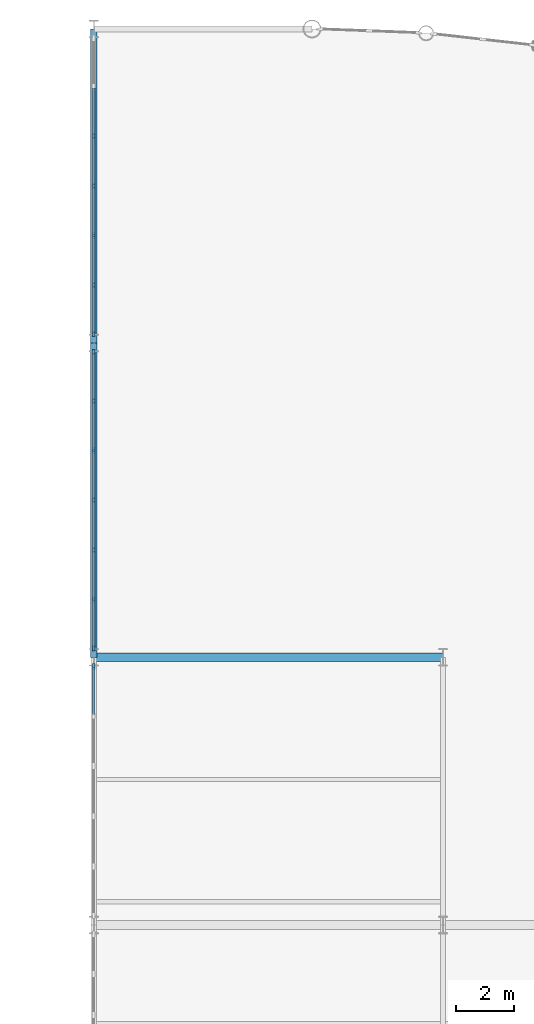
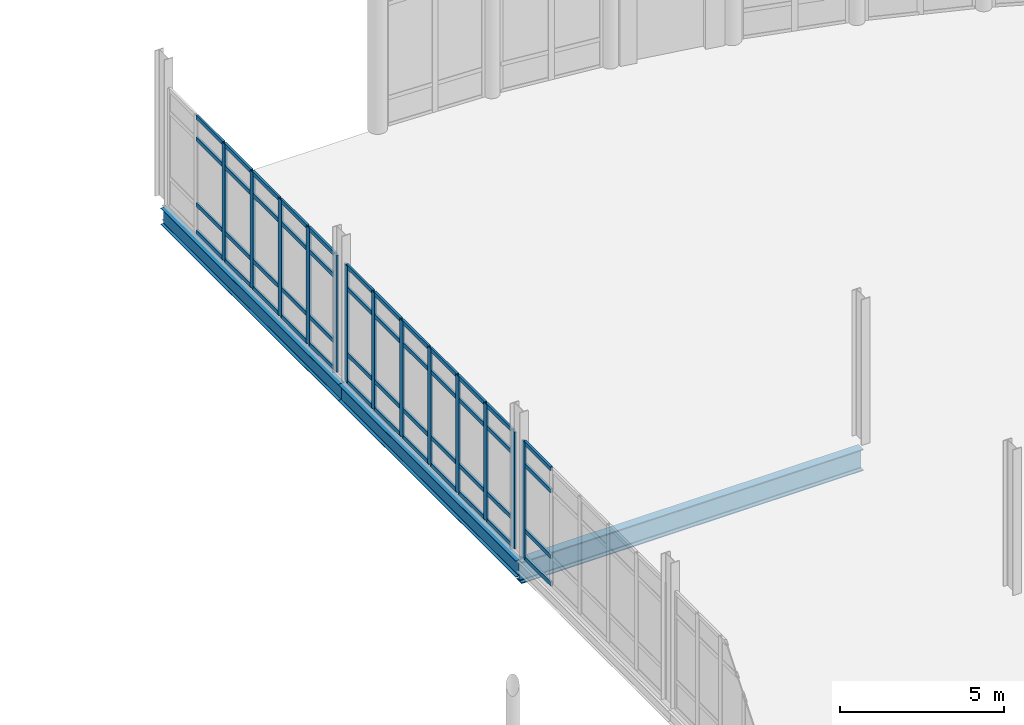
# One storey, part 61 of 111: 61 members, 3 beams, 3 elements without a shape of their own.
"""IFC4 building model written with IfcOpenShell, lengths in metres."""

from ifc_helpers import new_model, si_unit, direction, frame, origin, origin_2d, place, context, subcontext, project, spatial, rectangle, i_section, extrude, material, layer, layer_set, material_profile, profile_set, type_object, element, aggregate, save


model = new_model("IFC4")

# Units and contexts
model_context = context("Model", 3, precision=1e-05, world=origin(), true_north=direction((0.0, 1.0)))
body_context = subcontext(model_context, "Body", "Model", "MODEL_VIEW")
ifc_project = project(units=[si_unit("LENGTHUNIT", "METRE"), si_unit("AREAUNIT", "SQUARE_METRE"), si_unit("VOLUMEUNIT", "CUBIC_METRE"), si_unit("PLANEANGLEUNIT", "RADIAN"), si_unit("MASSUNIT", "GRAM", prefix="KILO"), si_unit("THERMODYNAMICTEMPERATUREUNIT", "KELVIN"), si_unit("POWERUNIT", "WATT")], contexts=[model_context])

# Site, building, storey
site_placement = place(None, origin())
site = spatial("IfcSite", under=ifc_project, at=site_placement, CompositionType="ELEMENT")
building_placement = place(site_placement, origin())
building = spatial("IfcBuilding", under=site, at=building_placement, Name="Tembeka Court Mobility Hub", CompositionType="ELEMENT")
storey_placement = place(building_placement, origin())
storey = spatial("IfcBuildingStorey", under=building, at=storey_placement, Name="L00", CompositionType="ELEMENT", Elevation=0.0)

# Beams
ifc_material_1 = material(Name="Steel S355", Category="steel")
ifc_material_profile_1 = material_profile(ifc_material_1, i_section(OverallWidth=0.22900390625, OverallDepth=0.612060546875, WebThickness=0.011962890625, FlangeThickness=0.01953125, FilletRadius=0.0126953125, at=origin_2d()), Name="UKB 610x229x125")
ifc_profile_set_1 = profile_set([ifc_material_profile_1], Name="Steel S355")
beam_type_1 = type_object("IfcBeamType", Name="BM-G02", PredefinedType="USERDEFINED", material=ifc_profile_set_1)
for number, where, z_axis, x_axis, name in (
    (1, (116.39990234375, 97.199951171875, -0.5859375), (0.0, 1.0, 0.0), (-1.0, 0.0, 0.0), "Beam G02 (BM-L00-Y0282)"),
    (2, (116.39990234375, 108.0, -0.5859375), (0.0, 1.0, 0.0), (-1.0, 0.0, 0.0), "Beam G02 (BM-L00-Y0283)"),
):
    element("IfcBeam", number, at=place(storey_placement, frame(where, z_axis=z_axis, x_axis=x_axis)), inside=storey, type_object=beam_type_1, Name=name, ObjectType="GIRDER", PredefinedType="USERDEFINED", context=body_context, shape_type="SweptSolid", body=[
        extrude(i_section(OverallWidth=0.22900390625, OverallDepth=0.612060546875, WebThickness=0.011962890625, FlangeThickness=0.01953125, FilletRadius=0.0126953125, at=origin_2d()), origin(), (0.0, 0.0, 1.0), 10.800048828125),
    ])
ifc_material_profile_2 = material_profile(ifc_material_1, i_section(OverallWidth=0.300048828125, OverallDepth=0.800048828125, WebThickness=0.017578125, FlangeThickness=0.034912109375, FilletRadius=0.030029296875, at=origin_2d()), Name="HEB 800")
ifc_profile_set_2 = profile_set([ifc_material_profile_2], Name="Steel S355")
beam_type_2 = type_object("IfcBeamType", Name="BM-G04", PredefinedType="USERDEFINED", material=ifc_profile_set_2)
beam_placement = place(storey_placement, frame((116.39990234375, 97.199951171875, -0.679931640625), z_axis=(1.0, 0.0, 0.0), x_axis=(0.0, 1.0, 0.0)))
element("IfcBeam", 3, at=beam_placement, inside=storey, type_object=beam_type_2, Name="Beam G04 (BM-L00-X0148)", ObjectType="GIRDER", PredefinedType="USERDEFINED", context=body_context, shape_type="SweptSolid", body=[
    extrude(i_section(OverallWidth=0.300048828125, OverallDepth=0.800048828125, WebThickness=0.017578125, FlangeThickness=0.034912109375, FilletRadius=0.030029296875, at=origin_2d()), origin(), (0.0, 0.0, 1.0), 12.0),
])

# Curtain wall, member
ifc_material_2 = material(Name="Anodised aluminium 6063-T6", Category="aluminium")
ifc_layer_1 = layer(ifc_material_2, 0.199951171875)
ifc_layer_set_1 = layer_set([ifc_layer_1], Name="Anodised aluminium 6063-T6")
curtain_wall_type_1 = type_object("IfcCurtainWallType", Name="CW-SYS28", PredefinedType="USERDEFINED", material=ifc_layer_set_1)
curtain_wall_1_placement = place(storey_placement, origin())
curtain_wall_1 = element("IfcCurtainWall", 4, at=curtain_wall_1_placement, inside=storey, type_object=curtain_wall_type_1, Name="Unitised curtain wall CW28 (CW-L00-087)", ObjectType="UNITISED GLAZING", PredefinedType="USERDEFINED")
ifc_material_profile_3 = material_profile(ifc_material_2, rectangle(XDim=0.074951171875, YDim=0.199951171875, at=origin_2d()), Name="ALU-MUL 75x200")
ifc_profile_set_3 = profile_set([ifc_material_profile_3], Name="Anodised aluminium 6063-T6")
member_type_1 = type_object("IfcMemberType", Name="CW-MUL02", PredefinedType="MULLION", material=ifc_profile_set_3)
member_1_placement = place(storey_placement, frame((116.39990234375, 96.882568359375, 0.0), z_axis=(0.0, 0.0, 1.0), x_axis=(-1.0, 0.0, 0.0)))
member_1 = element("IfcMember", 5, at=member_1_placement, type_object=member_type_1, Name="CW28 mullion 6", PredefinedType="MULLION", context=body_context, shape_type="SweptSolid", body=[
    extrude(rectangle(XDim=0.074951171875, YDim=0.199951171875, at=origin_2d()), origin(), (0.0, 0.0, 1.0), 4.3349609375),
])

# Curtain wall, members
ifc_layer_2 = layer(ifc_material_2, 0.159912109375)
ifc_layer_set_2 = layer_set([ifc_layer_2], Name="Anodised aluminium 6063-T6")
curtain_wall_type_2 = type_object("IfcCurtainWallType", Name="CW-SYS18", PredefinedType="USERDEFINED", material=ifc_layer_set_2)
curtain_wall_2_placement = place(storey_placement, origin())
curtain_wall_2 = element("IfcCurtainWall", 6, at=curtain_wall_2_placement, inside=storey, type_object=curtain_wall_type_2, Name="Unitised curtain wall CW18 (CW-L00-089)", ObjectType="UNITISED GLAZING", PredefinedType="USERDEFINED")
member_2_placement = place(storey_placement, frame((116.39990234375, 97.517578125, 0.0), z_axis=(0.0, 0.0, 1.0), x_axis=(-1.0, 0.0, 0.0)))
member_2 = element("IfcMember", 7, at=member_2_placement, type_object=member_type_1, Name="CW18 mullion 1", PredefinedType="MULLION", context=body_context, shape_type="SweptSolid", body=[
    extrude(rectangle(XDim=0.074951171875, YDim=0.199951171875, at=origin_2d()), origin(), (0.0, 0.0, 1.0), 4.3349609375),
])
member_3_placement = place(storey_placement, frame((116.39990234375, 99.186767578125, 0.0), z_axis=(0.0, 0.0, 1.0), x_axis=(-1.0, 0.0, 0.0)))
member_3 = element("IfcMember", 8, at=member_3_placement, type_object=member_type_1, Name="CW18 mullion 2", PredefinedType="MULLION", context=body_context, shape_type="SweptSolid", body=[
    extrude(rectangle(XDim=0.074951171875, YDim=0.199951171875, at=origin_2d()), origin(), (0.0, 0.0, 1.0), 4.3349609375),
])
member_4_placement = place(storey_placement, frame((116.39990234375, 100.893310546875, 0.0), z_axis=(0.0, 0.0, 1.0), x_axis=(-1.0, 0.0, 0.0)))
member_4 = element("IfcMember", 9, at=member_4_placement, type_object=member_type_1, Name="CW18 mullion 3", PredefinedType="MULLION", context=body_context, shape_type="SweptSolid", body=[
    extrude(rectangle(XDim=0.074951171875, YDim=0.199951171875, at=origin_2d()), origin(), (0.0, 0.0, 1.0), 4.3349609375),
])
member_5_placement = place(storey_placement, frame((116.39990234375, 102.60009765625, 0.0), z_axis=(0.0, 0.0, 1.0), x_axis=(-1.0, 0.0, 0.0)))
member_5 = element("IfcMember", 10, at=member_5_placement, type_object=member_type_1, Name="CW18 mullion 4", PredefinedType="MULLION", context=body_context, shape_type="SweptSolid", body=[
    extrude(rectangle(XDim=0.074951171875, YDim=0.199951171875, at=origin_2d()), origin(), (0.0, 0.0, 1.0), 4.3349609375),
])
member_6_placement = place(storey_placement, frame((116.39990234375, 104.306640625, 0.0), z_axis=(0.0, 0.0, 1.0), x_axis=(-1.0, 0.0, 0.0)))
member_6 = element("IfcMember", 11, at=member_6_placement, type_object=member_type_1, Name="CW18 mullion 5", PredefinedType="MULLION", context=body_context, shape_type="SweptSolid", body=[
    extrude(rectangle(XDim=0.074951171875, YDim=0.199951171875, at=origin_2d()), origin(), (0.0, 0.0, 1.0), 4.3349609375),
])
member_7_placement = place(storey_placement, frame((116.39990234375, 106.013427734375, 0.0), z_axis=(0.0, 0.0, 1.0), x_axis=(-1.0, 0.0, 0.0)))
member_7 = element("IfcMember", 12, at=member_7_placement, type_object=member_type_1, Name="CW18 mullion 6", PredefinedType="MULLION", context=body_context, shape_type="SweptSolid", body=[
    extrude(rectangle(XDim=0.074951171875, YDim=0.199951171875, at=origin_2d()), origin(), (0.0, 0.0, 1.0), 4.3349609375),
])
member_8_placement = place(storey_placement, frame((116.39990234375, 107.6826171875, 0.0), z_axis=(0.0, 0.0, 1.0), x_axis=(-1.0, 0.0, 0.0)))
member_8 = element("IfcMember", 13, at=member_8_placement, type_object=member_type_1, Name="CW18 mullion 7", PredefinedType="MULLION", context=body_context, shape_type="SweptSolid", body=[
    extrude(rectangle(XDim=0.074951171875, YDim=0.199951171875, at=origin_2d()), origin(), (0.0, 0.0, 1.0), 4.3349609375),
])

curtain_wall_3_placement = place(storey_placement, origin())
curtain_wall_3 = element("IfcCurtainWall", 14, at=curtain_wall_3_placement, inside=storey, type_object=curtain_wall_type_2, Name="Unitised curtain wall CW18 (CW-L00-091)", ObjectType="UNITISED GLAZING", PredefinedType="USERDEFINED")
member_9_placement = place(storey_placement, frame((116.39990234375, 108.3173828125, 0.0), z_axis=(0.0, 0.0, 1.0), x_axis=(-1.0, 0.0, 0.0)))
member_9 = element("IfcMember", 15, at=member_9_placement, type_object=member_type_1, Name="CW18 mullion 1", PredefinedType="MULLION", context=body_context, shape_type="SweptSolid", body=[
    extrude(rectangle(XDim=0.074951171875, YDim=0.199951171875, at=origin_2d()), origin(), (0.0, 0.0, 1.0), 4.3349609375),
])
member_10_placement = place(storey_placement, frame((116.39990234375, 109.986572265625, 0.0), z_axis=(0.0, 0.0, 1.0), x_axis=(-1.0, 0.0, 0.0)))
member_10 = element("IfcMember", 16, at=member_10_placement, type_object=member_type_1, Name="CW18 mullion 2", PredefinedType="MULLION", context=body_context, shape_type="SweptSolid", body=[
    extrude(rectangle(XDim=0.074951171875, YDim=0.199951171875, at=origin_2d()), origin(), (0.0, 0.0, 1.0), 4.3349609375),
])
member_11_placement = place(storey_placement, frame((116.39990234375, 111.693359375, 0.0), z_axis=(0.0, 0.0, 1.0), x_axis=(-1.0, 0.0, 0.0)))
member_11 = element("IfcMember", 17, at=member_11_placement, type_object=member_type_1, Name="CW18 mullion 3", PredefinedType="MULLION", context=body_context, shape_type="SweptSolid", body=[
    extrude(rectangle(XDim=0.074951171875, YDim=0.199951171875, at=origin_2d()), origin(), (0.0, 0.0, 1.0), 4.3349609375),
])
member_12_placement = place(storey_placement, frame((116.39990234375, 113.39990234375, 0.0), z_axis=(0.0, 0.0, 1.0), x_axis=(-1.0, 0.0, 0.0)))
member_12 = element("IfcMember", 18, at=member_12_placement, type_object=member_type_1, Name="CW18 mullion 4", PredefinedType="MULLION", context=body_context, shape_type="SweptSolid", body=[
    extrude(rectangle(XDim=0.074951171875, YDim=0.199951171875, at=origin_2d()), origin(), (0.0, 0.0, 1.0), 4.3349609375),
])
member_13_placement = place(storey_placement, frame((116.39990234375, 115.106689453125, 0.0), z_axis=(0.0, 0.0, 1.0), x_axis=(-1.0, 0.0, 0.0)))
member_13 = element("IfcMember", 19, at=member_13_placement, type_object=member_type_1, Name="CW18 mullion 5", PredefinedType="MULLION", context=body_context, shape_type="SweptSolid", body=[
    extrude(rectangle(XDim=0.074951171875, YDim=0.199951171875, at=origin_2d()), origin(), (0.0, 0.0, 1.0), 4.3349609375),
])

# Member
ifc_material_profile_4 = material_profile(ifc_material_2, rectangle(XDim=0.074951171875, YDim=0.14990234375, at=origin_2d()), Name="ALU-TRN 75x150")
ifc_profile_set_4 = profile_set([ifc_material_profile_4], Name="Anodised aluminium 6063-T6")
member_type_2 = type_object("IfcMemberType", Name="CW-TRN02", PredefinedType="USERDEFINED", material=ifc_profile_set_4)
member_14_placement = place(storey_placement, frame((116.39990234375, 95.2294921875, 0.03759765625), z_axis=(0.0, 1.0, 0.0), x_axis=(-1.0, 0.0, 0.0)))
member_14 = element("IfcMember", 20, at=member_14_placement, type_object=member_type_2, Name="CW28 transom 5.1", ObjectType="TRANSOM", PredefinedType="USERDEFINED", context=body_context, shape_type="SweptSolid", body=[
    extrude(rectangle(XDim=0.074951171875, YDim=0.14990234375, at=origin_2d()), origin(), (0.0, 0.0, 1.0), 1.615478515625),
])

member_15_placement = place(storey_placement, frame((116.39990234375, 95.2294921875, 1.050048828125), z_axis=(0.0, 1.0, 0.0), x_axis=(-1.0, 0.0, 0.0)))
member_15 = element("IfcMember", 21, at=member_15_placement, type_object=member_type_2, Name="CW28 transom 5.2", ObjectType="TRANSOM", PredefinedType="USERDEFINED", context=body_context, shape_type="SweptSolid", body=[
    extrude(rectangle(XDim=0.074951171875, YDim=0.14990234375, at=origin_2d()), origin(), (0.0, 0.0, 1.0), 1.615478515625),
])

member_16_placement = place(storey_placement, frame((116.39990234375, 95.2294921875, 3.485107421875), z_axis=(0.0, 1.0, 0.0), x_axis=(-1.0, 0.0, 0.0)))
member_16 = element("IfcMember", 22, at=member_16_placement, type_object=member_type_2, Name="CW28 transom 5.3", ObjectType="TRANSOM", PredefinedType="USERDEFINED", context=body_context, shape_type="SweptSolid", body=[
    extrude(rectangle(XDim=0.074951171875, YDim=0.14990234375, at=origin_2d()), origin(), (0.0, 0.0, 1.0), 1.615478515625),
])

member_17_placement = place(storey_placement, frame((116.39990234375, 95.2294921875, 4.297607421875), z_axis=(0.0, 1.0, 0.0), x_axis=(-1.0, 0.0, 0.0)))
member_17 = element("IfcMember", 23, at=member_17_placement, type_object=member_type_2, Name="CW28 transom 5.4", ObjectType="TRANSOM", PredefinedType="USERDEFINED", context=body_context, shape_type="SweptSolid", body=[
    extrude(rectangle(XDim=0.074951171875, YDim=0.14990234375, at=origin_2d()), origin(), (0.0, 0.0, 1.0), 1.615478515625),
])

aggregate(curtain_wall_1, [member_1, member_14, member_15, member_16, member_17])

member_18_placement = place(storey_placement, frame((116.39990234375, 97.554931640625, 0.03759765625), z_axis=(0.0, 1.0, 0.0), x_axis=(-1.0, 0.0, 0.0)))
member_18 = element("IfcMember", 24, at=member_18_placement, type_object=member_type_2, Name="CW18 transom 1.1", ObjectType="TRANSOM", PredefinedType="USERDEFINED", context=body_context, shape_type="SweptSolid", body=[
    extrude(rectangle(XDim=0.074951171875, YDim=0.14990234375, at=origin_2d()), origin(), (0.0, 0.0, 1.0), 1.59423828125),
])

member_19_placement = place(storey_placement, frame((116.39990234375, 97.554931640625, 1.050048828125), z_axis=(0.0, 1.0, 0.0), x_axis=(-1.0, 0.0, 0.0)))
member_19 = element("IfcMember", 25, at=member_19_placement, type_object=member_type_2, Name="CW18 transom 1.2", ObjectType="TRANSOM", PredefinedType="USERDEFINED", context=body_context, shape_type="SweptSolid", body=[
    extrude(rectangle(XDim=0.074951171875, YDim=0.14990234375, at=origin_2d()), origin(), (0.0, 0.0, 1.0), 1.59423828125),
])

member_20_placement = place(storey_placement, frame((116.39990234375, 97.554931640625, 3.485107421875), z_axis=(0.0, 1.0, 0.0), x_axis=(-1.0, 0.0, 0.0)))
member_20 = element("IfcMember", 26, at=member_20_placement, type_object=member_type_2, Name="CW18 transom 1.3", ObjectType="TRANSOM", PredefinedType="USERDEFINED", context=body_context, shape_type="SweptSolid", body=[
    extrude(rectangle(XDim=0.074951171875, YDim=0.14990234375, at=origin_2d()), origin(), (0.0, 0.0, 1.0), 1.59423828125),
])

member_21_placement = place(storey_placement, frame((116.39990234375, 97.554931640625, 4.297607421875), z_axis=(0.0, 1.0, 0.0), x_axis=(-1.0, 0.0, 0.0)))
member_21 = element("IfcMember", 27, at=member_21_placement, type_object=member_type_2, Name="CW18 transom 1.4", ObjectType="TRANSOM", PredefinedType="USERDEFINED", context=body_context, shape_type="SweptSolid", body=[
    extrude(rectangle(XDim=0.074951171875, YDim=0.14990234375, at=origin_2d()), origin(), (0.0, 0.0, 1.0), 1.59423828125),
])

member_22_placement = place(storey_placement, frame((116.39990234375, 99.22412109375, 0.03759765625), z_axis=(0.0, 1.0, 0.0), x_axis=(-1.0, 0.0, 0.0)))
member_22 = element("IfcMember", 28, at=member_22_placement, type_object=member_type_2, Name="CW18 transom 2.1", ObjectType="TRANSOM", PredefinedType="USERDEFINED", context=body_context, shape_type="SweptSolid", body=[
    extrude(rectangle(XDim=0.074951171875, YDim=0.14990234375, at=origin_2d()), origin(), (0.0, 0.0, 1.0), 1.631591796875),
])

member_23_placement = place(storey_placement, frame((116.39990234375, 99.22412109375, 1.050048828125), z_axis=(0.0, 1.0, 0.0), x_axis=(-1.0, 0.0, 0.0)))
member_23 = element("IfcMember", 29, at=member_23_placement, type_object=member_type_2, Name="CW18 transom 2.2", ObjectType="TRANSOM", PredefinedType="USERDEFINED", context=body_context, shape_type="SweptSolid", body=[
    extrude(rectangle(XDim=0.074951171875, YDim=0.14990234375, at=origin_2d()), origin(), (0.0, 0.0, 1.0), 1.631591796875),
])

member_24_placement = place(storey_placement, frame((116.39990234375, 99.22412109375, 3.485107421875), z_axis=(0.0, 1.0, 0.0), x_axis=(-1.0, 0.0, 0.0)))
member_24 = element("IfcMember", 30, at=member_24_placement, type_object=member_type_2, Name="CW18 transom 2.3", ObjectType="TRANSOM", PredefinedType="USERDEFINED", context=body_context, shape_type="SweptSolid", body=[
    extrude(rectangle(XDim=0.074951171875, YDim=0.14990234375, at=origin_2d()), origin(), (0.0, 0.0, 1.0), 1.631591796875),
])

member_25_placement = place(storey_placement, frame((116.39990234375, 99.22412109375, 4.297607421875), z_axis=(0.0, 1.0, 0.0), x_axis=(-1.0, 0.0, 0.0)))
member_25 = element("IfcMember", 31, at=member_25_placement, type_object=member_type_2, Name="CW18 transom 2.4", ObjectType="TRANSOM", PredefinedType="USERDEFINED", context=body_context, shape_type="SweptSolid", body=[
    extrude(rectangle(XDim=0.074951171875, YDim=0.14990234375, at=origin_2d()), origin(), (0.0, 0.0, 1.0), 1.631591796875),
])

member_26_placement = place(storey_placement, frame((116.39990234375, 100.930908203125, 0.03759765625), z_axis=(0.0, 1.0, 0.0), x_axis=(-1.0, 0.0, 0.0)))
member_26 = element("IfcMember", 32, at=member_26_placement, type_object=member_type_2, Name="CW18 transom 3.1", ObjectType="TRANSOM", PredefinedType="USERDEFINED", context=body_context, shape_type="SweptSolid", body=[
    extrude(rectangle(XDim=0.074951171875, YDim=0.14990234375, at=origin_2d()), origin(), (0.0, 0.0, 1.0), 1.631591796875),
])

member_27_placement = place(storey_placement, frame((116.39990234375, 100.930908203125, 1.050048828125), z_axis=(0.0, 1.0, 0.0), x_axis=(-1.0, 0.0, 0.0)))
member_27 = element("IfcMember", 33, at=member_27_placement, type_object=member_type_2, Name="CW18 transom 3.2", ObjectType="TRANSOM", PredefinedType="USERDEFINED", context=body_context, shape_type="SweptSolid", body=[
    extrude(rectangle(XDim=0.074951171875, YDim=0.14990234375, at=origin_2d()), origin(), (0.0, 0.0, 1.0), 1.631591796875),
])

member_28_placement = place(storey_placement, frame((116.39990234375, 100.930908203125, 3.485107421875), z_axis=(0.0, 1.0, 0.0), x_axis=(-1.0, 0.0, 0.0)))
member_28 = element("IfcMember", 34, at=member_28_placement, type_object=member_type_2, Name="CW18 transom 3.3", ObjectType="TRANSOM", PredefinedType="USERDEFINED", context=body_context, shape_type="SweptSolid", body=[
    extrude(rectangle(XDim=0.074951171875, YDim=0.14990234375, at=origin_2d()), origin(), (0.0, 0.0, 1.0), 1.631591796875),
])

member_29_placement = place(storey_placement, frame((116.39990234375, 100.930908203125, 4.297607421875), z_axis=(0.0, 1.0, 0.0), x_axis=(-1.0, 0.0, 0.0)))
member_29 = element("IfcMember", 35, at=member_29_placement, type_object=member_type_2, Name="CW18 transom 3.4", ObjectType="TRANSOM", PredefinedType="USERDEFINED", context=body_context, shape_type="SweptSolid", body=[
    extrude(rectangle(XDim=0.074951171875, YDim=0.14990234375, at=origin_2d()), origin(), (0.0, 0.0, 1.0), 1.631591796875),
])

member_30_placement = place(storey_placement, frame((116.39990234375, 102.637451171875, 0.03759765625), z_axis=(0.0, 1.0, 0.0), x_axis=(-1.0, 0.0, 0.0)))
member_30 = element("IfcMember", 36, at=member_30_placement, type_object=member_type_2, Name="CW18 transom 4.1", ObjectType="TRANSOM", PredefinedType="USERDEFINED", context=body_context, shape_type="SweptSolid", body=[
    extrude(rectangle(XDim=0.074951171875, YDim=0.14990234375, at=origin_2d()), origin(), (0.0, 0.0, 1.0), 1.6318359375),
])

member_31_placement = place(storey_placement, frame((116.39990234375, 102.637451171875, 1.050048828125), z_axis=(0.0, 1.0, 0.0), x_axis=(-1.0, 0.0, 0.0)))
member_31 = element("IfcMember", 37, at=member_31_placement, type_object=member_type_2, Name="CW18 transom 4.2", ObjectType="TRANSOM", PredefinedType="USERDEFINED", context=body_context, shape_type="SweptSolid", body=[
    extrude(rectangle(XDim=0.074951171875, YDim=0.14990234375, at=origin_2d()), origin(), (0.0, 0.0, 1.0), 1.6318359375),
])

member_32_placement = place(storey_placement, frame((116.39990234375, 102.637451171875, 3.485107421875), z_axis=(0.0, 1.0, 0.0), x_axis=(-1.0, 0.0, 0.0)))
member_32 = element("IfcMember", 38, at=member_32_placement, type_object=member_type_2, Name="CW18 transom 4.3", ObjectType="TRANSOM", PredefinedType="USERDEFINED", context=body_context, shape_type="SweptSolid", body=[
    extrude(rectangle(XDim=0.074951171875, YDim=0.14990234375, at=origin_2d()), origin(), (0.0, 0.0, 1.0), 1.6318359375),
])

member_33_placement = place(storey_placement, frame((116.39990234375, 102.637451171875, 4.297607421875), z_axis=(0.0, 1.0, 0.0), x_axis=(-1.0, 0.0, 0.0)))
member_33 = element("IfcMember", 39, at=member_33_placement, type_object=member_type_2, Name="CW18 transom 4.4", ObjectType="TRANSOM", PredefinedType="USERDEFINED", context=body_context, shape_type="SweptSolid", body=[
    extrude(rectangle(XDim=0.074951171875, YDim=0.14990234375, at=origin_2d()), origin(), (0.0, 0.0, 1.0), 1.6318359375),
])

member_34_placement = place(storey_placement, frame((116.39990234375, 104.34423828125, 0.03759765625), z_axis=(0.0, 1.0, 0.0), x_axis=(-1.0, 0.0, 0.0)))
member_34 = element("IfcMember", 40, at=member_34_placement, type_object=member_type_2, Name="CW18 transom 5.1", ObjectType="TRANSOM", PredefinedType="USERDEFINED", context=body_context, shape_type="SweptSolid", body=[
    extrude(rectangle(XDim=0.074951171875, YDim=0.14990234375, at=origin_2d()), origin(), (0.0, 0.0, 1.0), 1.631591796875),
])

member_35_placement = place(storey_placement, frame((116.39990234375, 104.34423828125, 1.050048828125), z_axis=(0.0, 1.0, 0.0), x_axis=(-1.0, 0.0, 0.0)))
member_35 = element("IfcMember", 41, at=member_35_placement, type_object=member_type_2, Name="CW18 transom 5.2", ObjectType="TRANSOM", PredefinedType="USERDEFINED", context=body_context, shape_type="SweptSolid", body=[
    extrude(rectangle(XDim=0.074951171875, YDim=0.14990234375, at=origin_2d()), origin(), (0.0, 0.0, 1.0), 1.631591796875),
])

member_36_placement = place(storey_placement, frame((116.39990234375, 104.34423828125, 3.485107421875), z_axis=(0.0, 1.0, 0.0), x_axis=(-1.0, 0.0, 0.0)))
member_36 = element("IfcMember", 42, at=member_36_placement, type_object=member_type_2, Name="CW18 transom 5.3", ObjectType="TRANSOM", PredefinedType="USERDEFINED", context=body_context, shape_type="SweptSolid", body=[
    extrude(rectangle(XDim=0.074951171875, YDim=0.14990234375, at=origin_2d()), origin(), (0.0, 0.0, 1.0), 1.631591796875),
])

member_37_placement = place(storey_placement, frame((116.39990234375, 104.34423828125, 4.297607421875), z_axis=(0.0, 1.0, 0.0), x_axis=(-1.0, 0.0, 0.0)))
member_37 = element("IfcMember", 43, at=member_37_placement, type_object=member_type_2, Name="CW18 transom 5.4", ObjectType="TRANSOM", PredefinedType="USERDEFINED", context=body_context, shape_type="SweptSolid", body=[
    extrude(rectangle(XDim=0.074951171875, YDim=0.14990234375, at=origin_2d()), origin(), (0.0, 0.0, 1.0), 1.631591796875),
])

member_38_placement = place(storey_placement, frame((116.39990234375, 106.05078125, 0.03759765625), z_axis=(0.0, 1.0, 0.0), x_axis=(-1.0, 0.0, 0.0)))
member_38 = element("IfcMember", 44, at=member_38_placement, type_object=member_type_2, Name="CW18 transom 6.1", ObjectType="TRANSOM", PredefinedType="USERDEFINED", context=body_context, shape_type="SweptSolid", body=[
    extrude(rectangle(XDim=0.074951171875, YDim=0.14990234375, at=origin_2d()), origin(), (0.0, 0.0, 1.0), 1.59423828125),
])

member_39_placement = place(storey_placement, frame((116.39990234375, 106.05078125, 1.050048828125), z_axis=(0.0, 1.0, 0.0), x_axis=(-1.0, 0.0, 0.0)))
member_39 = element("IfcMember", 45, at=member_39_placement, type_object=member_type_2, Name="CW18 transom 6.2", ObjectType="TRANSOM", PredefinedType="USERDEFINED", context=body_context, shape_type="SweptSolid", body=[
    extrude(rectangle(XDim=0.074951171875, YDim=0.14990234375, at=origin_2d()), origin(), (0.0, 0.0, 1.0), 1.59423828125),
])

member_40_placement = place(storey_placement, frame((116.39990234375, 106.05078125, 3.485107421875), z_axis=(0.0, 1.0, 0.0), x_axis=(-1.0, 0.0, 0.0)))
member_40 = element("IfcMember", 46, at=member_40_placement, type_object=member_type_2, Name="CW18 transom 6.3", ObjectType="TRANSOM", PredefinedType="USERDEFINED", context=body_context, shape_type="SweptSolid", body=[
    extrude(rectangle(XDim=0.074951171875, YDim=0.14990234375, at=origin_2d()), origin(), (0.0, 0.0, 1.0), 1.59423828125),
])

member_41_placement = place(storey_placement, frame((116.39990234375, 106.05078125, 4.297607421875), z_axis=(0.0, 1.0, 0.0), x_axis=(-1.0, 0.0, 0.0)))
member_41 = element("IfcMember", 47, at=member_41_placement, type_object=member_type_2, Name="CW18 transom 6.4", ObjectType="TRANSOM", PredefinedType="USERDEFINED", context=body_context, shape_type="SweptSolid", body=[
    extrude(rectangle(XDim=0.074951171875, YDim=0.14990234375, at=origin_2d()), origin(), (0.0, 0.0, 1.0), 1.59423828125),
])

aggregate(curtain_wall_2, [member_2, member_3, member_4, member_5, member_6, member_7, member_8, member_18, member_19, member_20, member_21, member_22, member_23, member_24, member_25, member_26, member_27, member_28, member_29, member_30, member_31, member_32, member_33, member_34, member_35, member_36, member_37, member_38, member_39, member_40, member_41])

member_42_placement = place(storey_placement, frame((116.39990234375, 108.35498046875, 0.03759765625), z_axis=(0.0, 1.0, 0.0), x_axis=(-1.0, 0.0, 0.0)))
member_42 = element("IfcMember", 48, at=member_42_placement, type_object=member_type_2, Name="CW18 transom 1.1", ObjectType="TRANSOM", PredefinedType="USERDEFINED", context=body_context, shape_type="SweptSolid", body=[
    extrude(rectangle(XDim=0.074951171875, YDim=0.14990234375, at=origin_2d()), origin(), (0.0, 0.0, 1.0), 1.59423828125),
])

member_43_placement = place(storey_placement, frame((116.39990234375, 108.35498046875, 1.050048828125), z_axis=(0.0, 1.0, 0.0), x_axis=(-1.0, 0.0, 0.0)))
member_43 = element("IfcMember", 49, at=member_43_placement, type_object=member_type_2, Name="CW18 transom 1.2", ObjectType="TRANSOM", PredefinedType="USERDEFINED", context=body_context, shape_type="SweptSolid", body=[
    extrude(rectangle(XDim=0.074951171875, YDim=0.14990234375, at=origin_2d()), origin(), (0.0, 0.0, 1.0), 1.59423828125),
])

member_44_placement = place(storey_placement, frame((116.39990234375, 108.35498046875, 3.485107421875), z_axis=(0.0, 1.0, 0.0), x_axis=(-1.0, 0.0, 0.0)))
member_44 = element("IfcMember", 50, at=member_44_placement, type_object=member_type_2, Name="CW18 transom 1.3", ObjectType="TRANSOM", PredefinedType="USERDEFINED", context=body_context, shape_type="SweptSolid", body=[
    extrude(rectangle(XDim=0.074951171875, YDim=0.14990234375, at=origin_2d()), origin(), (0.0, 0.0, 1.0), 1.59423828125),
])

member_45_placement = place(storey_placement, frame((116.39990234375, 108.35498046875, 4.297607421875), z_axis=(0.0, 1.0, 0.0), x_axis=(-1.0, 0.0, 0.0)))
member_45 = element("IfcMember", 51, at=member_45_placement, type_object=member_type_2, Name="CW18 transom 1.4", ObjectType="TRANSOM", PredefinedType="USERDEFINED", context=body_context, shape_type="SweptSolid", body=[
    extrude(rectangle(XDim=0.074951171875, YDim=0.14990234375, at=origin_2d()), origin(), (0.0, 0.0, 1.0), 1.59423828125),
])

member_46_placement = place(storey_placement, frame((116.39990234375, 110.024169921875, 0.03759765625), z_axis=(0.0, 1.0, 0.0), x_axis=(-1.0, 0.0, 0.0)))
member_46 = element("IfcMember", 52, at=member_46_placement, type_object=member_type_2, Name="CW18 transom 2.1", ObjectType="TRANSOM", PredefinedType="USERDEFINED", context=body_context, shape_type="SweptSolid", body=[
    extrude(rectangle(XDim=0.074951171875, YDim=0.14990234375, at=origin_2d()), origin(), (0.0, 0.0, 1.0), 1.631591796875),
])

member_47_placement = place(storey_placement, frame((116.39990234375, 110.024169921875, 1.050048828125), z_axis=(0.0, 1.0, 0.0), x_axis=(-1.0, 0.0, 0.0)))
member_47 = element("IfcMember", 53, at=member_47_placement, type_object=member_type_2, Name="CW18 transom 2.2", ObjectType="TRANSOM", PredefinedType="USERDEFINED", context=body_context, shape_type="SweptSolid", body=[
    extrude(rectangle(XDim=0.074951171875, YDim=0.14990234375, at=origin_2d()), origin(), (0.0, 0.0, 1.0), 1.631591796875),
])

member_48_placement = place(storey_placement, frame((116.39990234375, 110.024169921875, 3.485107421875), z_axis=(0.0, 1.0, 0.0), x_axis=(-1.0, 0.0, 0.0)))
member_48 = element("IfcMember", 54, at=member_48_placement, type_object=member_type_2, Name="CW18 transom 2.3", ObjectType="TRANSOM", PredefinedType="USERDEFINED", context=body_context, shape_type="SweptSolid", body=[
    extrude(rectangle(XDim=0.074951171875, YDim=0.14990234375, at=origin_2d()), origin(), (0.0, 0.0, 1.0), 1.631591796875),
])

member_49_placement = place(storey_placement, frame((116.39990234375, 110.024169921875, 4.297607421875), z_axis=(0.0, 1.0, 0.0), x_axis=(-1.0, 0.0, 0.0)))
member_49 = element("IfcMember", 55, at=member_49_placement, type_object=member_type_2, Name="CW18 transom 2.4", ObjectType="TRANSOM", PredefinedType="USERDEFINED", context=body_context, shape_type="SweptSolid", body=[
    extrude(rectangle(XDim=0.074951171875, YDim=0.14990234375, at=origin_2d()), origin(), (0.0, 0.0, 1.0), 1.631591796875),
])

member_50_placement = place(storey_placement, frame((116.39990234375, 111.730712890625, 0.03759765625), z_axis=(0.0, 1.0, 0.0), x_axis=(-1.0, 0.0, 0.0)))
member_50 = element("IfcMember", 56, at=member_50_placement, type_object=member_type_2, Name="CW18 transom 3.1", ObjectType="TRANSOM", PredefinedType="USERDEFINED", context=body_context, shape_type="SweptSolid", body=[
    extrude(rectangle(XDim=0.074951171875, YDim=0.14990234375, at=origin_2d()), origin(), (0.0, 0.0, 1.0), 1.6318359375),
])

member_51_placement = place(storey_placement, frame((116.39990234375, 111.730712890625, 1.050048828125), z_axis=(0.0, 1.0, 0.0), x_axis=(-1.0, 0.0, 0.0)))
member_51 = element("IfcMember", 57, at=member_51_placement, type_object=member_type_2, Name="CW18 transom 3.2", ObjectType="TRANSOM", PredefinedType="USERDEFINED", context=body_context, shape_type="SweptSolid", body=[
    extrude(rectangle(XDim=0.074951171875, YDim=0.14990234375, at=origin_2d()), origin(), (0.0, 0.0, 1.0), 1.6318359375),
])

member_52_placement = place(storey_placement, frame((116.39990234375, 111.730712890625, 3.485107421875), z_axis=(0.0, 1.0, 0.0), x_axis=(-1.0, 0.0, 0.0)))
member_52 = element("IfcMember", 58, at=member_52_placement, type_object=member_type_2, Name="CW18 transom 3.3", ObjectType="TRANSOM", PredefinedType="USERDEFINED", context=body_context, shape_type="SweptSolid", body=[
    extrude(rectangle(XDim=0.074951171875, YDim=0.14990234375, at=origin_2d()), origin(), (0.0, 0.0, 1.0), 1.6318359375),
])

member_53_placement = place(storey_placement, frame((116.39990234375, 111.730712890625, 4.297607421875), z_axis=(0.0, 1.0, 0.0), x_axis=(-1.0, 0.0, 0.0)))
member_53 = element("IfcMember", 59, at=member_53_placement, type_object=member_type_2, Name="CW18 transom 3.4", ObjectType="TRANSOM", PredefinedType="USERDEFINED", context=body_context, shape_type="SweptSolid", body=[
    extrude(rectangle(XDim=0.074951171875, YDim=0.14990234375, at=origin_2d()), origin(), (0.0, 0.0, 1.0), 1.6318359375),
])

member_54_placement = place(storey_placement, frame((116.39990234375, 113.4375, 0.03759765625), z_axis=(0.0, 1.0, 0.0), x_axis=(-1.0, 0.0, 0.0)))
member_54 = element("IfcMember", 60, at=member_54_placement, type_object=member_type_2, Name="CW18 transom 4.1", ObjectType="TRANSOM", PredefinedType="USERDEFINED", context=body_context, shape_type="SweptSolid", body=[
    extrude(rectangle(XDim=0.074951171875, YDim=0.14990234375, at=origin_2d()), origin(), (0.0, 0.0, 1.0), 1.631591796875),
])

member_55_placement = place(storey_placement, frame((116.39990234375, 113.4375, 1.050048828125), z_axis=(0.0, 1.0, 0.0), x_axis=(-1.0, 0.0, 0.0)))
member_55 = element("IfcMember", 61, at=member_55_placement, type_object=member_type_2, Name="CW18 transom 4.2", ObjectType="TRANSOM", PredefinedType="USERDEFINED", context=body_context, shape_type="SweptSolid", body=[
    extrude(rectangle(XDim=0.074951171875, YDim=0.14990234375, at=origin_2d()), origin(), (0.0, 0.0, 1.0), 1.631591796875),
])

member_56_placement = place(storey_placement, frame((116.39990234375, 113.4375, 3.485107421875), z_axis=(0.0, 1.0, 0.0), x_axis=(-1.0, 0.0, 0.0)))
member_56 = element("IfcMember", 62, at=member_56_placement, type_object=member_type_2, Name="CW18 transom 4.3", ObjectType="TRANSOM", PredefinedType="USERDEFINED", context=body_context, shape_type="SweptSolid", body=[
    extrude(rectangle(XDim=0.074951171875, YDim=0.14990234375, at=origin_2d()), origin(), (0.0, 0.0, 1.0), 1.631591796875),
])

member_57_placement = place(storey_placement, frame((116.39990234375, 113.4375, 4.297607421875), z_axis=(0.0, 1.0, 0.0), x_axis=(-1.0, 0.0, 0.0)))
member_57 = element("IfcMember", 63, at=member_57_placement, type_object=member_type_2, Name="CW18 transom 4.4", ObjectType="TRANSOM", PredefinedType="USERDEFINED", context=body_context, shape_type="SweptSolid", body=[
    extrude(rectangle(XDim=0.074951171875, YDim=0.14990234375, at=origin_2d()), origin(), (0.0, 0.0, 1.0), 1.631591796875),
])

member_58_placement = place(storey_placement, frame((116.39990234375, 115.144287109375, 0.03759765625), z_axis=(0.0, 1.0, 0.0), x_axis=(-1.0, 0.0, 0.0)))
member_58 = element("IfcMember", 64, at=member_58_placement, type_object=member_type_2, Name="CW18 transom 5.1", ObjectType="TRANSOM", PredefinedType="USERDEFINED", context=body_context, shape_type="SweptSolid", body=[
    extrude(rectangle(XDim=0.074951171875, YDim=0.14990234375, at=origin_2d()), origin(), (0.0, 0.0, 1.0), 1.631591796875),
])

member_59_placement = place(storey_placement, frame((116.39990234375, 115.144287109375, 1.050048828125), z_axis=(0.0, 1.0, 0.0), x_axis=(-1.0, 0.0, 0.0)))
member_59 = element("IfcMember", 65, at=member_59_placement, type_object=member_type_2, Name="CW18 transom 5.2", ObjectType="TRANSOM", PredefinedType="USERDEFINED", context=body_context, shape_type="SweptSolid", body=[
    extrude(rectangle(XDim=0.074951171875, YDim=0.14990234375, at=origin_2d()), origin(), (0.0, 0.0, 1.0), 1.631591796875),
])

member_60_placement = place(storey_placement, frame((116.39990234375, 115.144287109375, 3.485107421875), z_axis=(0.0, 1.0, 0.0), x_axis=(-1.0, 0.0, 0.0)))
member_60 = element("IfcMember", 66, at=member_60_placement, type_object=member_type_2, Name="CW18 transom 5.3", ObjectType="TRANSOM", PredefinedType="USERDEFINED", context=body_context, shape_type="SweptSolid", body=[
    extrude(rectangle(XDim=0.074951171875, YDim=0.14990234375, at=origin_2d()), origin(), (0.0, 0.0, 1.0), 1.631591796875),
])

member_61_placement = place(storey_placement, frame((116.39990234375, 115.144287109375, 4.297607421875), z_axis=(0.0, 1.0, 0.0), x_axis=(-1.0, 0.0, 0.0)))
member_61 = element("IfcMember", 67, at=member_61_placement, type_object=member_type_2, Name="CW18 transom 5.4", ObjectType="TRANSOM", PredefinedType="USERDEFINED", context=body_context, shape_type="SweptSolid", body=[
    extrude(rectangle(XDim=0.074951171875, YDim=0.14990234375, at=origin_2d()), origin(), (0.0, 0.0, 1.0), 1.631591796875),
])

aggregate(curtain_wall_3, [member_9, member_10, member_11, member_12, member_13, member_42, member_43, member_44, member_45, member_46, member_47, member_48, member_49, member_50, member_51, member_52, member_53, member_54, member_55, member_56, member_57, member_58, member_59, member_60, member_61])

save(model, "model.ifc")
